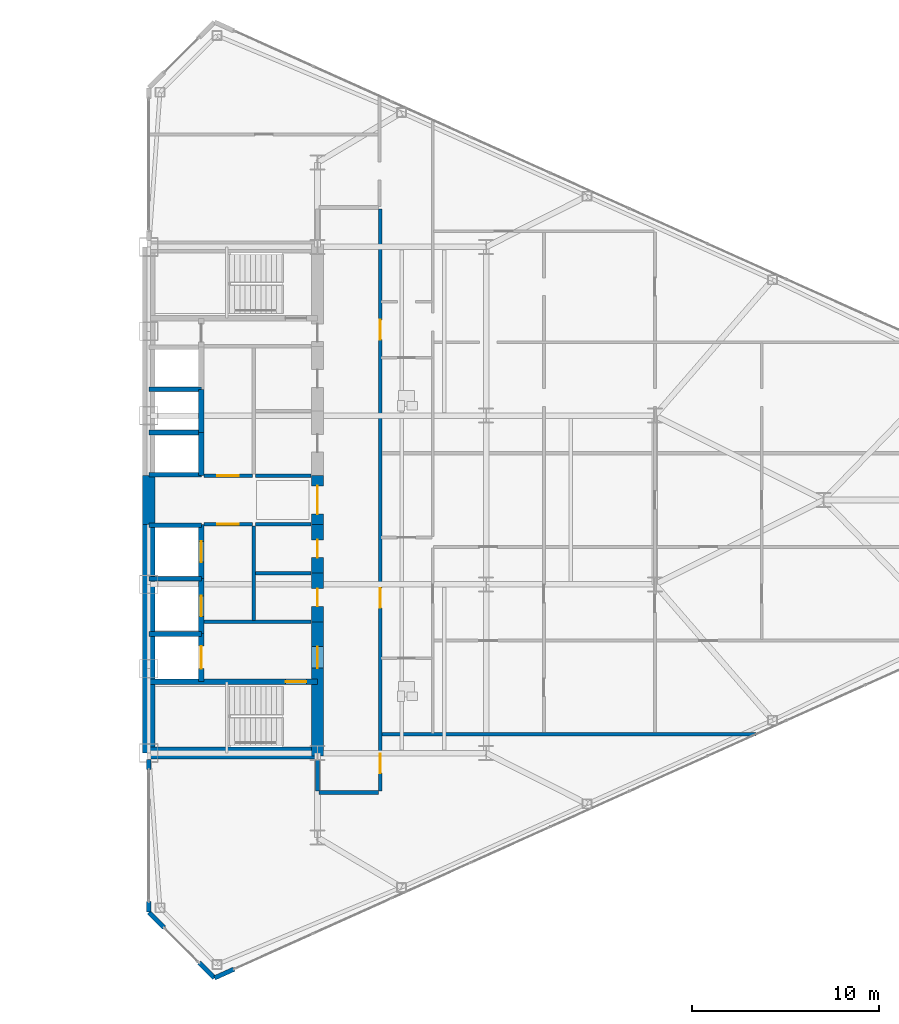
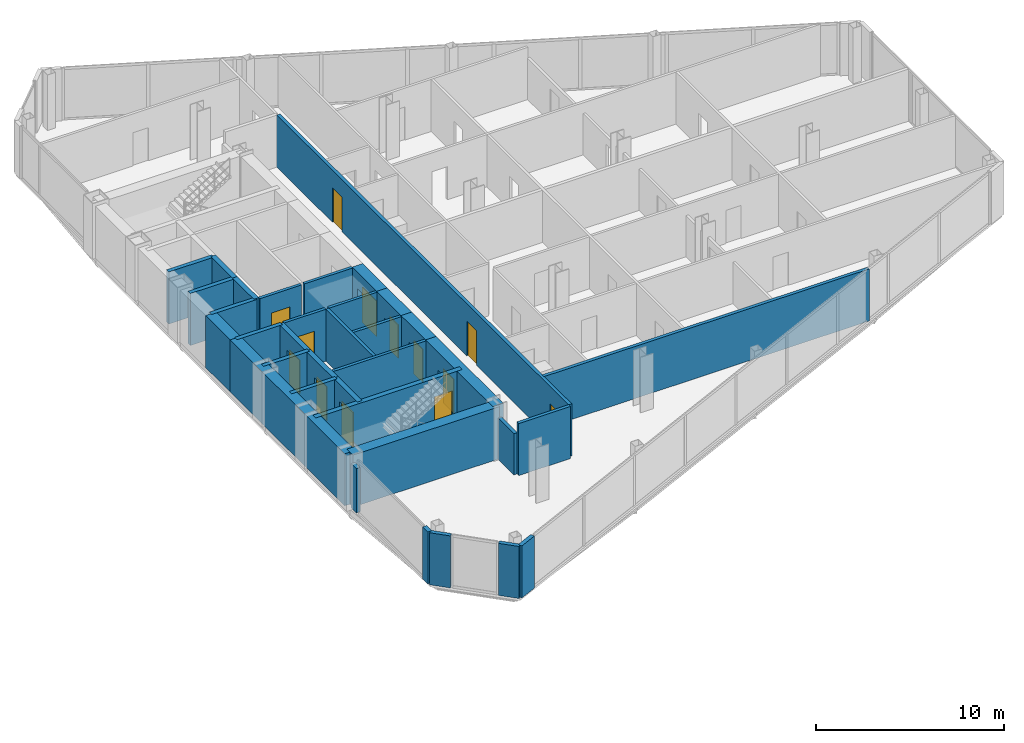
# One storey, part 22 of 27: 35 walls, 13 doors, 13 openings.
"""IFC4 building model written with IfcOpenShell, lengths in metres."""

from ifc_helpers import new_model, si_unit, direction, frame, frame_2d, origin, place, context, subcontext, project, spatial, rectangle, extrude, source, transform, mapped, material, layer, layer_set, type_object, type_shapes, element, fill, save


model = new_model("IFC4")

# Units and contexts
model_context = context("Model", 3, precision=1e-05, world=origin(), true_north=direction((0.0, 1.0)))
body_context = subcontext(model_context, "Body", "Model", "MODEL_VIEW")
ifc_project = project(units=[si_unit("LENGTHUNIT", "METRE"), si_unit("AREAUNIT", "SQUARE_METRE"), si_unit("VOLUMEUNIT", "CUBIC_METRE"), si_unit("PLANEANGLEUNIT", "RADIAN"), si_unit("MASSUNIT", "GRAM", prefix="KILO")], contexts=[model_context])

# Site, building, storey
site_placement = place(None, origin())
site = spatial("IfcSite", under=ifc_project, at=site_placement, CompositionType="ELEMENT")
building_placement = place(site_placement, origin())
building = spatial("IfcBuilding", under=site, at=building_placement, Name="Seokmaru Belvedere", CompositionType="ELEMENT")
storey_placement = place(building_placement, frame((0.0, 0.0, 92.39990234375)))
storey = spatial("IfcBuildingStorey", under=building, at=storey_placement, Name="L24", CompositionType="ELEMENT", Elevation=92.39990234375)

# Walls
ifc_material_1 = material(Name="Fire-Rated Gypsum Shaftwall")
ifc_layer_1 = layer(ifc_material_1, 0.179931640625)
ifc_layer_set_1 = layer_set([ifc_layer_1], Name="Fire-Rated Gypsum Shaftwall")
wall_type_1 = type_object("IfcWallType", Name="Core Service Fire Partition 180", PredefinedType="PARTITIONING", material=ifc_layer_set_1)
wall_1_placement = place(storey_placement, frame((30.449951171875, -6.5, 0.0), z_axis=(0.0, 0.0, 1.0), x_axis=(1.0, 0.0, 0.0)))
element("IfcWall", 1, at=wall_1_placement, inside=storey, type_object=wall_type_1, Name="L24 East Firefighting Lobby Partition", PredefinedType="PARTITIONING", context=body_context, shape_type="SweptSolid", body=[
    extrude(rectangle(XDim=5.699951171875, YDim=0.179931640625, at=frame_2d((2.85009765625, 0.0))), origin(), (0.0, 0.0, 1.0), 3.380126953125),
])
wall_2_placement = place(storey_placement, frame((33.10009765625, -6.419921875, 0.0), z_axis=(0.0, 0.0, 1.0), x_axis=(0.0, 1.0, 0.0)))
element("IfcWall", 2, at=wall_2_placement, inside=storey, type_object=wall_type_1, Name="L24 East South Core Service Back Wall", PredefinedType="PARTITIONING", context=body_context, shape_type="SweptSolid", body=[
    extrude(rectangle(XDim=5.0400390625, YDim=0.179931640625, at=frame_2d((2.52001953125, 0.0))), origin(), (0.0, 0.0, 1.0), 3.380126953125),
])

# Wall, opening, door
wall_3_placement = place(storey_placement, frame((30.449951171875, -1.300048828125, 0.0), z_axis=(0.0, 0.0, 1.0), x_axis=(1.0, 0.0, 0.0)))
wall_3 = element("IfcWall", 3, at=wall_3_placement, inside=storey, type_object=wall_type_1, Name="L24 East South Lift Lobby Foyer Wall", PredefinedType="PARTITIONING", context=body_context, shape_type="SweptSolid", body=[
    extrude(rectangle(XDim=2.570068359375, YDim=0.179931640625, at=frame_2d((1.28515625, 0.0))), origin(), (0.0, 0.0, 1.0), 3.380126953125),
])
opening_1_placement = place(wall_3_placement, frame((0.7099609375, 0.0, 0.0)))
opening_1 = element("IfcOpeningElement", 4, at=opening_1_placement, cuts=wall_3, Name="Opening D02", PredefinedType="OPENING", context=body_context, shape_type="SweptSolid", body=[
    extrude(rectangle(XDim=1.14990234375, YDim=2.199951171875, at=frame_2d((0.574951171875, 1.10009765625))), frame((0.0, 0.10009765625, 0.0), z_axis=(0.0, -1.0, 0.0), x_axis=(1.0, 0.0, 0.0)), (0.0, 0.0, 1.0), 0.199951171875),
])
ifc_material_2 = material(Name="Fire-Rated Steel Leaf", Category="steel")
door_type_1 = type_object("IfcDoorType", Name="Lobby and Vestibule Fire Door 1150x2200", OperationType="NOTDEFINED", PredefinedType="DOOR", material=ifc_material_2)
shared_shape_1 = source(origin(), body_context, "Body", "SweptSolid", [
    extrude(rectangle(XDim=1.14990234375, YDim=2.199951171875, at=frame_2d((0.574951171875, 1.10009765625))), frame((0.0, 0.02490234375, 0.0), z_axis=(0.0, -1.0, 0.0), x_axis=(1.0, 0.0, 0.0)), (0.0, 0.0, 1.0), 0.050048828125),
])
type_shapes(door_type_1, [shared_shape_1])
door_1_placement = place(opening_1_placement, origin())
door_1 = element("IfcDoor", 5, at=door_1_placement, inside=storey, type_object=door_type_1, Name="L24 East South Core Foyer Door", OperationType="SINGLE_SWING_RIGHT", OverallHeight=2.199951171875, OverallWidth=1.14990234375, PredefinedType="DOOR", context=body_context, shape_type="MappedRepresentation", body=[
    mapped(shared_shape_1, transform((0.0, 0.0, 0.0), scale=1.0)),
])
fill(opening_1, door_1)

wall_4_placement = place(storey_placement, frame((30.449951171875, 1.300048828125, 0.0), z_axis=(0.0, 0.0, 1.0), x_axis=(1.0, 0.0, 0.0)))
wall_4 = element("IfcWall", 6, at=wall_4_placement, inside=storey, type_object=wall_type_1, Name="L24 East North Lift Lobby Foyer Wall", PredefinedType="PARTITIONING", context=body_context, shape_type="SweptSolid", body=[
    extrude(rectangle(XDim=2.570068359375, YDim=0.179931640625, at=frame_2d((1.28515625, 0.0))), origin(), (0.0, 0.0, 1.0), 3.380126953125),
])
opening_2_placement = place(wall_4_placement, frame((0.7099609375, 0.0, 0.0)))
opening_2 = element("IfcOpeningElement", 7, at=opening_2_placement, cuts=wall_4, Name="Opening D02", PredefinedType="OPENING", context=body_context, shape_type="SweptSolid", body=[
    extrude(rectangle(XDim=1.14990234375, YDim=2.199951171875, at=frame_2d((0.574951171875, 1.10009765625))), frame((0.0, 0.10009765625, 0.0), z_axis=(0.0, -1.0, 0.0), x_axis=(1.0, 0.0, 0.0)), (0.0, 0.0, 1.0), 0.199951171875),
])
door_2_placement = place(opening_2_placement, origin())
door_2 = element("IfcDoor", 8, at=door_2_placement, inside=storey, type_object=door_type_1, Name="L24 East North Lift Lobby Door", OperationType="SINGLE_SWING_LEFT", OverallHeight=2.199951171875, OverallWidth=1.14990234375, PredefinedType="DOOR", context=body_context, shape_type="MappedRepresentation", body=[
    mapped(shared_shape_1, transform((0.0, 0.0, 0.0), scale=1.0)),
])
fill(opening_2, door_2)

# Walls
for number, where, z_axis, x_axis, name in (
    (9, (33.199951171875, -1.300048828125, 0.0), (0.0, 0.0, 1.0), (1.0, 0.0, 0.0), "L24 East Foyer Side Wall S"),
    (10, (33.199951171875, 1.300048828125, 0.0), (0.0, 0.0, 1.0), (1.0, 0.0, 0.0), "L24 East Foyer Side Wall N"),
    (11, (33.199951171875, -3.89990234375, 0.0), (0.0, 0.0, 1.0), (1.0, 0.0, 0.0), "L24 East Core Service Partition 1"),
):
    element("IfcWall", number, at=place(storey_placement, frame(where, z_axis=z_axis, x_axis=x_axis)), inside=storey, type_object=wall_type_1, Name=name, PredefinedType="PARTITIONING", context=body_context, shape_type="SweptSolid", body=[
        extrude(rectangle(XDim=2.949951171875, YDim=0.179931640625, at=frame_2d((1.47509765625, 0.0))), origin(), (0.0, 0.0, 1.0), 3.380126953125),
    ])
ifc_material_3 = material(Name="Concrete C50 (50 MPa)", Category="concrete")
ifc_layer_2 = layer(ifc_material_3, 0.25)
ifc_layer_set_2 = layer_set([ifc_layer_2], Name="Concrete C50 (50 MPa)")
wall_type_2 = type_object("IfcWallType", Name="Hoistway Transverse Concrete Divider Wall 250", PredefinedType="SHEAR", material=ifc_layer_set_2)
for number, where, z_axis, x_axis, name in (
    (12, (27.5, -7.14990234375, 0.0), (0.0, 0.0, 1.0), (1.0, 0.0, 0.0), "L24 East Hoistway Divider Core Wall 1"),
    (13, (27.5, -4.199951171875, 0.0), (0.0, 0.0, 1.0), (1.0, 0.0, 0.0), "L24 East Hoistway Divider Core Wall 2"),
    (14, (27.5, -1.35009765625, 0.0), (0.0, 0.0, 1.0), (1.0, 0.0, 0.0), "L24 East Hoistway Divider Core Wall 3"),
    (15, (27.5, 1.35009765625, 0.0), (0.0, 0.0, 1.0), (1.0, 0.0, 0.0), "L24 East Hoistway Divider Core Wall 4"),
    (16, (27.5, 3.60009765625, 0.0), (0.0, 0.0, 1.0), (1.0, 0.0, 0.0), "L24 East Hoistway Divider Core Wall 5"),
    (17, (27.5, 5.89990234375, 0.0), (0.0, 0.0, 1.0), (1.0, 0.0, 0.0), "L24 East Hoistway Divider Core Wall 6"),
):
    element("IfcWall", number, at=place(storey_placement, frame(where, z_axis=z_axis, x_axis=x_axis)), inside=storey, type_object=wall_type_2, Name=name, PredefinedType="SHEAR", context=body_context, shape_type="SweptSolid", body=[
        extrude(rectangle(XDim=2.800048828125, YDim=0.25, at=frame_2d((1.39990234375, 0.0))), origin(), (0.0, 0.0, 1.0), 3.380126953125),
    ])
ifc_layer_3 = layer(ifc_material_1, 0.199951171875)
ifc_layer_set_3 = layer_set([ifc_layer_3], Name="Fire-Rated Gypsum Shaftwall")
wall_type_3 = type_object("IfcWallType", Name="Inter-Tenancy Fire Compartment Partition 200", PredefinedType="PARTITIONING", material=ifc_layer_set_3)
wall_5_placement = place(storey_placement, frame((36.5849609375, -15.60009765625, 0.0), z_axis=(0.0, 0.0, 1.0), x_axis=(1.0, 0.0, 0.0)))
element("IfcWall", 18, at=wall_5_placement, inside=storey, type_object=wall_type_3, Name="L24 Interior Partition 002", PredefinedType="PARTITIONING", context=body_context, shape_type="SweptSolid", body=[
    extrude(rectangle(XDim=3.179931640625, YDim=0.199951171875, at=frame_2d((1.58984375, 0.0))), origin(), (0.0, 0.0, 1.0), 3.380126953125),
])
wall_6_placement = place(storey_placement, frame((39.929931640625, -12.5, 0.0), z_axis=(0.0, 0.0, 1.0), x_axis=(1.0, 0.0, 0.0)))
element("IfcWall", 19, at=wall_6_placement, inside=storey, type_object=wall_type_3, Name="L24 Interior Partition 004", PredefinedType="PARTITIONING", context=body_context, shape_type="SweptSolid", body=[
    extrude(rectangle(XDim=19.970947265625, YDim=0.199951171875, at=frame_2d((9.9853515625, 0.0))), origin(), (0.0, 0.0, 1.0), 3.380126953125),
])
wall_7_placement = place(storey_placement, frame((36.5, -15.514892578125, 0.0), z_axis=(0.0, 0.0, 1.0), x_axis=(0.0, 1.0, 0.0)))
element("IfcWall", 20, at=wall_7_placement, inside=storey, type_object=wall_type_3, Name="L24 Interior Partition 043", PredefinedType="PARTITIONING", context=body_context, shape_type="SweptSolid", body=[
    extrude(rectangle(XDim=1.684814453125, YDim=0.199951171875, at=frame_2d((0.84228515625, 0.0))), origin(), (0.0, 0.0, 1.0), 2.68017578125),
])

# Wall, openings, doors
wall_8_placement = place(storey_placement, frame((39.85009765625, -15.514892578125, 0.0), z_axis=(0.0, 0.0, 1.0), x_axis=(0.0, 1.0, 0.0)))
wall_8 = element("IfcWall", 21, at=wall_8_placement, inside=storey, type_object=wall_type_3, Name="L24 Interior Partition 046", PredefinedType="PARTITIONING", context=body_context, shape_type="SweptSolid", body=[
    extrude(rectangle(XDim=31.02978515625, YDim=0.199951171875, at=frame_2d((15.514892578125, 0.0))), origin(), (0.0, 0.0, 1.0), 3.380126953125),
])
opening_3_placement = place(wall_8_placement, frame((0.93994140625, 0.0, 0.0)))
opening_3 = element("IfcOpeningElement", 22, at=opening_3_placement, cuts=wall_8, Name="Opening D03", PredefinedType="OPENING", context=body_context, shape_type="SweptSolid", body=[
    extrude(rectangle(XDim=1.050048828125, YDim=2.25, at=frame_2d((0.52490234375, 1.125))), frame((0.0, 0.10986328125, 0.0), z_axis=(0.0, -1.0, 0.0), x_axis=(1.0, 0.0, 0.0)), (0.0, 0.0, 1.0), 0.219970703125),
])
opening_4_placement = place(wall_8_placement, frame((9.764892578125, 0.0, 0.0)))
opening_4 = element("IfcOpeningElement", 23, at=opening_4_placement, cuts=wall_8, Name="Opening D03", PredefinedType="OPENING", context=body_context, shape_type="SweptSolid", body=[
    extrude(rectangle(XDim=1.050048828125, YDim=2.25, at=frame_2d((0.52490234375, 1.125))), frame((0.0, 0.10986328125, 0.0), z_axis=(0.0, -1.0, 0.0), x_axis=(1.0, 0.0, 0.0)), (0.0, 0.0, 1.0), 0.219970703125),
])
opening_5_placement = place(wall_8_placement, frame((24.0673828125, 0.0, 0.0)))
opening_5 = element("IfcOpeningElement", 24, at=opening_5_placement, cuts=wall_8, Name="Opening D03", PredefinedType="OPENING", context=body_context, shape_type="SweptSolid", body=[
    extrude(rectangle(XDim=1.050048828125, YDim=2.25, at=frame_2d((0.52490234375, 1.125))), frame((0.0, 0.10986328125, 0.0), z_axis=(0.0, -1.0, 0.0), x_axis=(1.0, 0.0, 0.0)), (0.0, 0.0, 1.0), 0.219970703125),
])
door_type_2 = type_object("IfcDoorType", Name="Apartment Entrance Fire Door 1050x2250", OperationType="NOTDEFINED", PredefinedType="DOOR", material=ifc_material_2)
shared_shape_2 = source(origin(), body_context, "Body", "SweptSolid", [
    extrude(rectangle(XDim=1.050048828125, YDim=2.25, at=frame_2d((0.52490234375, 1.125))), frame((0.0, 0.02490234375, 0.0), z_axis=(0.0, -1.0, 0.0), x_axis=(1.0, 0.0, 0.0)), (0.0, 0.0, 1.0), 0.050048828125),
])
type_shapes(door_type_2, [shared_shape_2])
door_3_placement = place(opening_3_placement, origin())
door_3 = element("IfcDoor", 25, at=door_3_placement, inside=storey, type_object=door_type_2, Name="L24 Interior Door 034", OperationType="SINGLE_SWING_LEFT", OverallHeight=2.25, OverallWidth=1.050048828125, PredefinedType="DOOR", context=body_context, shape_type="MappedRepresentation", body=[
    mapped(shared_shape_2, transform((0.0, 0.0, 0.0), scale=1.0)),
])
fill(opening_3, door_3)
door_4_placement = place(opening_4_placement, origin())
door_4 = element("IfcDoor", 26, at=door_4_placement, inside=storey, type_object=door_type_2, Name="L24 Interior Door 035", OperationType="SINGLE_SWING_RIGHT", OverallHeight=2.25, OverallWidth=1.050048828125, PredefinedType="DOOR", context=body_context, shape_type="MappedRepresentation", body=[
    mapped(shared_shape_2, transform((0.0, 0.0, 0.0), scale=1.0)),
])
fill(opening_4, door_4)
door_5_placement = place(opening_5_placement, origin())
door_5 = element("IfcDoor", 27, at=door_5_placement, inside=storey, type_object=door_type_2, Name="L24 Interior Door 049", OperationType="SINGLE_SWING_LEFT", OverallHeight=2.25, OverallWidth=1.050048828125, PredefinedType="DOOR", context=body_context, shape_type="MappedRepresentation", body=[
    mapped(shared_shape_2, transform((0.0, 0.0, 0.0), scale=1.0)),
])
fill(opening_5, door_5)

# Wall, opening, door
ifc_layer_4 = layer(ifc_material_3, 0.300048828125)
ifc_layer_set_4 = layer_set([ifc_layer_4], Name="Concrete C50 (50 MPa)")
wall_type_4 = type_object("IfcWallType", Name="Internal Core Stair and Hoistway Wall 300", PredefinedType="SHEAR", material=ifc_layer_set_4)
wall_9_placement = place(storey_placement, frame((27.5, -9.699951171875, 0.0), z_axis=(0.0, 0.0, 1.0), x_axis=(1.0, 0.0, 0.0)))
wall_9 = element("IfcWall", 28, at=wall_9_placement, inside=storey, type_object=wall_type_4, Name="L24 East Stair ST-1 Enclosure Wall", PredefinedType="SHEAR", context=body_context, shape_type="SweptSolid", body=[
    extrude(rectangle(XDim=9.0, YDim=0.300048828125, at=frame_2d((4.5, 0.0))), origin(), (0.0, 0.0, 1.0), 3.380126953125),
])
opening_6_placement = place(wall_9_placement, frame((7.300048828125, 0.0, 0.0)))
opening_6 = element("IfcOpeningElement", 29, at=opening_6_placement, cuts=wall_9, Name="Opening D01", PredefinedType="OPENING", context=body_context, shape_type="SweptSolid", body=[
    extrude(rectangle(XDim=1.10009765625, YDim=2.199951171875, at=frame_2d((0.550048828125, 1.10009765625))), frame((0.0, 0.16015625, 0.0), z_axis=(0.0, -1.0, 0.0), x_axis=(1.0, 0.0, 0.0)), (0.0, 0.0, 1.0), 0.320068359375),
])
door_type_3 = type_object("IfcDoorType", Name="Special Escape Stair Smokeproof Fire Door 1100x2200", OperationType="NOTDEFINED", PredefinedType="DOOR", material=ifc_material_2)
shared_shape_3 = source(origin(), body_context, "Body", "SweptSolid", [
    extrude(rectangle(XDim=1.10009765625, YDim=2.199951171875, at=frame_2d((0.550048828125, 1.10009765625))), frame((0.0, 0.02490234375, 0.0), z_axis=(0.0, -1.0, 0.0), x_axis=(1.0, 0.0, 0.0)), (0.0, 0.0, 1.0), 0.050048828125),
])
type_shapes(door_type_3, [shared_shape_3])
door_6_placement = place(opening_6_placement, frame((1.10009765625, 0.0, 0.0), z_axis=(0.0, 0.0, 1.0), x_axis=(-1.0, 0.0, 0.0)))
door_6 = element("IfcDoor", 30, at=door_6_placement, inside=storey, type_object=door_type_3, Name="L24 East Special Escape Stair ST-1 Door", OperationType="SINGLE_SWING_RIGHT", OverallHeight=2.199951171875, OverallWidth=1.10009765625, PredefinedType="DOOR", context=body_context, shape_type="MappedRepresentation", body=[
    mapped(shared_shape_3, transform((0.0, 0.0, 0.0), scale=1.0)),
])
fill(opening_6, door_6)

wall_10_placement = place(storey_placement, frame((30.300048828125, -9.679931640625, 0.0), z_axis=(0.0, 0.0, 1.0), x_axis=(0.0, 1.0, 0.0)))
wall_10 = element("IfcWall", 31, at=wall_10_placement, inside=storey, type_object=wall_type_4, Name="L24 East Firefighting Lift Shaft Front Wall", PredefinedType="SHEAR", context=body_context, shape_type="SweptSolid", body=[
    extrude(rectangle(XDim=2.559814453125, YDim=0.300048828125, at=frame_2d((1.27978515625, 0.0))), origin(), (0.0, 0.0, 1.0), 3.380126953125),
])
opening_7_placement = place(wall_10_placement, frame((0.679931640625, 0.0, 0.0)))
opening_7 = element("IfcOpeningElement", 32, at=opening_7_placement, cuts=wall_10, Name="Opening LD2", PredefinedType="OPENING", context=body_context, shape_type="SweptSolid", body=[
    extrude(rectangle(XDim=1.199951171875, YDim=2.25, at=frame_2d((0.60009765625, 1.125))), frame((0.0, 0.16015625, 0.0), z_axis=(0.0, -1.0, 0.0), x_axis=(1.0, 0.0, 0.0)), (0.0, 0.0, 1.0), 0.320068359375),
])
ifc_material_4 = material(Name="Stainless Steel 316", Category="steel")
door_type_4 = type_object("IfcDoorType", Name="Firefighting Lift Sliding Landing Door 1200x2250", OperationType="DOUBLE_DOOR_SLIDING", PredefinedType="DOOR", material=ifc_material_4)
shared_shape_4 = source(origin(), body_context, "Body", "SweptSolid", [
    extrude(rectangle(XDim=1.199951171875, YDim=2.25, at=frame_2d((0.60009765625, 1.125))), frame((0.0, 0.02490234375, 0.0), z_axis=(0.0, -1.0, 0.0), x_axis=(1.0, 0.0, 0.0)), (0.0, 0.0, 1.0), 0.050048828125),
])
type_shapes(door_type_4, [shared_shape_4])
door_7_placement = place(opening_7_placement, origin())
door_7 = element("IfcDoor", 33, at=door_7_placement, inside=storey, type_object=door_type_4, Name="L24 East Firefighting Lift Landing Door", OperationType="DOUBLE_DOOR_SLIDING", OverallHeight=2.25, OverallWidth=1.199951171875, PredefinedType="DOOR", context=body_context, shape_type="MappedRepresentation", body=[
    mapped(shared_shape_4, transform((0.0, 0.0, 0.0), scale=1.0)),
])
fill(opening_7, door_7)

wall_11_placement = place(storey_placement, frame((30.300048828125, -7.1201171875, 0.0), z_axis=(0.0, 0.0, 1.0), x_axis=(0.0, 1.0, 0.0)))
wall_11 = element("IfcWall", 34, at=wall_11_placement, inside=storey, type_object=wall_type_4, Name="L24 East Low-Rise Lift PL-1 Front Wall", PredefinedType="SHEAR", context=body_context, shape_type="SweptSolid", body=[
    extrude(rectangle(XDim=2.920166015625, YDim=0.300048828125, at=frame_2d((1.4599609375, 0.0))), origin(), (0.0, 0.0, 1.0), 3.380126953125),
])
opening_8_placement = place(wall_11_placement, frame((0.909912109375, 0.0, 0.0)))
opening_8 = element("IfcOpeningElement", 35, at=opening_8_placement, cuts=wall_11, Name="Opening LD1", PredefinedType="OPENING", context=body_context, shape_type="SweptSolid", body=[
    extrude(rectangle(XDim=1.10009765625, YDim=2.199951171875, at=frame_2d((0.550048828125, 1.10009765625))), frame((0.0, 0.16015625, 0.0), z_axis=(0.0, -1.0, 0.0), x_axis=(1.0, 0.0, 0.0)), (0.0, 0.0, 1.0), 0.320068359375),
])
door_type_5 = type_object("IfcDoorType", Name="Passenger Lift Sliding Landing Door 1100x2200", OperationType="DOUBLE_DOOR_SLIDING", PredefinedType="DOOR", material=ifc_material_4)
shared_shape_5 = source(origin(), body_context, "Body", "SweptSolid", [
    extrude(rectangle(XDim=1.10009765625, YDim=2.199951171875, at=frame_2d((0.550048828125, 1.10009765625))), frame((0.0, 0.02490234375, 0.0), z_axis=(0.0, -1.0, 0.0), x_axis=(1.0, 0.0, 0.0)), (0.0, 0.0, 1.0), 0.050048828125),
])
type_shapes(door_type_5, [shared_shape_5])
door_8_placement = place(opening_8_placement, origin())
door_8 = element("IfcDoor", 36, at=door_8_placement, inside=storey, type_object=door_type_5, Name="L24 East Low-Rise Lift PL-1 Landing Door", OperationType="DOUBLE_DOOR_SLIDING", OverallHeight=2.199951171875, OverallWidth=1.10009765625, PredefinedType="DOOR", context=body_context, shape_type="MappedRepresentation", body=[
    mapped(shared_shape_5, transform((0.0, 0.0, 0.0), scale=1.0)),
])
fill(opening_8, door_8)

wall_12_placement = place(storey_placement, frame((30.300048828125, -4.199951171875, 0.0), z_axis=(0.0, 0.0, 1.0), x_axis=(0.0, 1.0, 0.0)))
wall_12 = element("IfcWall", 37, at=wall_12_placement, inside=storey, type_object=wall_type_4, Name="L24 East Low-Rise Lift PL-2 Front Wall", PredefinedType="SHEAR", context=body_context, shape_type="SweptSolid", body=[
    extrude(rectangle(XDim=2.8798828125, YDim=0.300048828125, at=frame_2d((1.43994140625, 0.0))), origin(), (0.0, 0.0, 1.0), 3.380126953125),
])
opening_9_placement = place(wall_12_placement, frame((0.889892578125, 0.0, 0.0)))
opening_9 = element("IfcOpeningElement", 38, at=opening_9_placement, cuts=wall_12, Name="Opening LD1", PredefinedType="OPENING", context=body_context, shape_type="SweptSolid", body=[
    extrude(rectangle(XDim=1.10009765625, YDim=2.199951171875, at=frame_2d((0.550048828125, 1.10009765625))), frame((0.0, 0.16015625, 0.0), z_axis=(0.0, -1.0, 0.0), x_axis=(1.0, 0.0, 0.0)), (0.0, 0.0, 1.0), 0.320068359375),
])
door_9_placement = place(opening_9_placement, origin())
door_9 = element("IfcDoor", 39, at=door_9_placement, inside=storey, type_object=door_type_5, Name="L24 East Low-Rise Lift PL-2 Landing Door", OperationType="DOUBLE_DOOR_SLIDING", OverallHeight=2.199951171875, OverallWidth=1.10009765625, PredefinedType="DOOR", context=body_context, shape_type="MappedRepresentation", body=[
    mapped(shared_shape_5, transform((0.0, 0.0, 0.0), scale=1.0)),
])
fill(opening_9, door_9)

# Walls
wall_13_placement = place(storey_placement, frame((30.300048828125, 1.320068359375, 0.0), z_axis=(0.0, 0.0, 1.0), x_axis=(0.0, 1.0, 0.0)))
element("IfcWall", 40, at=wall_13_placement, inside=storey, type_object=wall_type_4, Name="L24 East North Hoistway Wall PH1", PredefinedType="SHEAR", context=body_context, shape_type="SweptSolid", body=[
    extrude(rectangle(XDim=2.280029296875, YDim=0.300048828125, at=frame_2d((1.14013671875, 0.0))), origin(), (0.0, 0.0, 1.0), 3.380126953125),
])
wall_14_placement = place(storey_placement, frame((30.300048828125, 3.60009765625, 0.0), z_axis=(0.0, 0.0, 1.0), x_axis=(0.0, 1.0, 0.0)))
element("IfcWall", 41, at=wall_14_placement, inside=storey, type_object=wall_type_4, Name="L24 East North Hoistway Wall PH2", PredefinedType="SHEAR", context=body_context, shape_type="SweptSolid", body=[
    extrude(rectangle(XDim=2.2998046875, YDim=0.300048828125, at=frame_2d((1.14990234375, 0.0))), origin(), (0.0, 0.0, 1.0), 3.380126953125),
])
ifc_material_5 = material(Name="Concrete C60 (60 MPa)", Category="concrete")
ifc_layer_5 = layer(ifc_material_5, 0.64990234375)
ifc_layer_set_5 = layer_set([ifc_layer_5], Name="Concrete C60 (60 MPa)")
wall_type_5 = type_object("IfcWallType", Name="Mid-Low Reinforced Concrete Core Wall 650", PredefinedType="SHEAR", material=ifc_layer_set_5)
wall_15_placement = place(storey_placement, frame((27.5, -13.5, 0.0), z_axis=(0.0, 0.0, 1.0), x_axis=(0.0, 1.0, 0.0)))
element("IfcWall", 42, at=wall_15_placement, inside=storey, type_object=wall_type_5, Name="L24 East Portal Spine Core Wall South", PredefinedType="SHEAR", context=body_context, shape_type="SweptSolid", body=[
    extrude(rectangle(XDim=12.199951171875, YDim=0.64990234375, at=frame_2d((6.10009765625, 0.0))), origin(), (0.0, 0.0, 1.0), 3.380126953125),
])
wall_16_placement = place(storey_placement, frame((27.5, -1.300048828125, 0.0), z_axis=(0.0, 0.0, 1.0), x_axis=(0.0, 1.0, 0.0)))
element("IfcWall", 43, at=wall_16_placement, inside=storey, type_object=wall_type_5, Name="L24 East Portal Spine Core Wall Center", PredefinedType="SHEAR", context=body_context, shape_type="SweptSolid", body=[
    extrude(rectangle(XDim=2.60009765625, YDim=0.64990234375, at=frame_2d((1.300048828125, 0.0))), origin(), (0.0, 0.0, 1.0), 3.380126953125),
])
wall_17_placement = place(storey_placement, frame((27.5, -13.5, 0.0), z_axis=(0.0, 0.0, 1.0), x_axis=(1.0, 0.0, 0.0)))
element("IfcWall", 44, at=wall_17_placement, inside=storey, type_object=wall_type_5, Name="L24 East South Core Wall", PredefinedType="SHEAR", context=body_context, shape_type="SweptSolid", body=[
    extrude(rectangle(XDim=9.0, YDim=0.64990234375, at=frame_2d((4.5, 0.0))), origin(), (0.0, 0.0, 1.0), 3.380126953125),
])

# Wall, opening, door
wall_18_placement = place(storey_placement, frame((36.5, -13.64990234375, 0.0), z_axis=(0.0, 0.0, 1.0), x_axis=(0.0, 1.0, 0.0)))
wall_18 = element("IfcWall", 45, at=wall_18_placement, inside=storey, type_object=wall_type_5, Name="L24 East West Core Wall FF", PredefinedType="SHEAR", context=body_context, shape_type="SweptSolid", body=[
    extrude(rectangle(XDim=7.14990234375, YDim=0.64990234375, at=frame_2d((3.574951171875, 0.0))), origin(), (0.0, 0.0, 1.0), 3.380126953125),
])
opening_10_placement = place(wall_18_placement, frame((4.675048828125, 0.0, 0.0)))
opening_10 = element("IfcOpeningElement", 46, at=opening_10_placement, cuts=wall_18, Name="Opening D02", PredefinedType="OPENING", context=body_context, shape_type="SweptSolid", body=[
    extrude(rectangle(XDim=1.14990234375, YDim=2.199951171875, at=frame_2d((0.574951171875, 1.10009765625))), frame((0.0, 0.3349609375, 0.0), z_axis=(0.0, -1.0, 0.0), x_axis=(1.0, 0.0, 0.0)), (0.0, 0.0, 1.0), 0.669921875),
])
door_10_placement = place(opening_10_placement, origin())
door_10 = element("IfcDoor", 47, at=door_10_placement, inside=storey, type_object=door_type_1, Name="L24 East Firefighting Lobby Door", OperationType="SINGLE_SWING_RIGHT", OverallHeight=2.199951171875, OverallWidth=1.14990234375, PredefinedType="DOOR", context=body_context, shape_type="MappedRepresentation", body=[
    mapped(shared_shape_1, transform((0.0, 0.0, 0.0), scale=1.0)),
])
fill(opening_10, door_10)

wall_19_placement = place(storey_placement, frame((36.5, -1.300048828125, 0.0), z_axis=(0.0, 0.0, 1.0), x_axis=(0.0, 1.0, 0.0)))
wall_19 = element("IfcWall", 48, at=wall_19_placement, inside=storey, type_object=wall_type_5, Name="L24 East West Core Wall FOY", PredefinedType="SHEAR", context=body_context, shape_type="SweptSolid", body=[
    extrude(rectangle(XDim=2.60009765625, YDim=0.64990234375, at=frame_2d((1.300048828125, 0.0))), origin(), (0.0, 0.0, 1.0), 3.380126953125),
])
opening_11_placement = place(wall_19_placement, frame((0.550048828125, 0.0, 0.0)))
opening_11 = element("IfcOpeningElement", 49, at=opening_11_placement, cuts=wall_19, Name="Opening D08", PredefinedType="OPENING", context=body_context, shape_type="SweptSolid", body=[
    extrude(rectangle(XDim=1.5, YDim=2.300048828125, at=frame_2d((0.75, 1.14990234375))), frame((0.0, 0.3349609375, 0.0), z_axis=(0.0, -1.0, 0.0), x_axis=(1.0, 0.0, 0.0)), (0.0, 0.0, 1.0), 0.669921875),
])
door_type_6 = type_object("IfcDoorType", Name="Cross-Corridor Compartment Double Fire Door 1500x2300", OperationType="DOUBLE_SWING_LEFT", PredefinedType="DOOR", material=ifc_material_2)
shared_shape_6 = source(origin(), body_context, "Body", "SweptSolid", [
    extrude(rectangle(XDim=1.5, YDim=2.300048828125, at=frame_2d((0.75, 1.14990234375))), frame((0.0, 0.02490234375, 0.0), z_axis=(0.0, -1.0, 0.0), x_axis=(1.0, 0.0, 0.0)), (0.0, 0.0, 1.0), 0.050048828125),
])
type_shapes(door_type_6, [shared_shape_6])
door_11_placement = place(opening_11_placement, origin())
door_11 = element("IfcDoor", 50, at=door_11_placement, inside=storey, type_object=door_type_6, Name="L24 East Core Foyer Compartment Door", OperationType="DOUBLE_SWING_LEFT", OverallHeight=2.300048828125, OverallWidth=1.5, PredefinedType="DOOR", context=body_context, shape_type="MappedRepresentation", body=[
    mapped(shared_shape_6, transform((0.0, 0.0, 0.0), scale=1.0)),
])
fill(opening_11, door_11)

wall_20_placement = place(storey_placement, frame((36.5, -6.5, 0.0), z_axis=(0.0, 0.0, 1.0), x_axis=(0.0, 1.0, 0.0)))
wall_20 = element("IfcWall", 51, at=wall_20_placement, inside=storey, type_object=wall_type_5, Name="L24 East West Core Wall CS1", PredefinedType="SHEAR", context=body_context, shape_type="SweptSolid", body=[
    extrude(rectangle(XDim=2.60009765625, YDim=0.64990234375, at=frame_2d((1.300048828125, 0.0))), origin(), (0.0, 0.0, 1.0), 3.380126953125),
])
opening_12_placement = place(wall_20_placement, frame((0.824951171875, 0.0, 0.0)))
opening_12 = element("IfcOpeningElement", 52, at=opening_12_placement, cuts=wall_20, Name="Opening D04", PredefinedType="OPENING", context=body_context, shape_type="SweptSolid", body=[
    extrude(rectangle(XDim=0.949951171875, YDim=2.14990234375, at=frame_2d((0.47509765625, 1.074951171875))), frame((0.0, 0.3349609375, 0.0), z_axis=(0.0, -1.0, 0.0), x_axis=(1.0, 0.0, 0.0)), (0.0, 0.0, 1.0), 0.669921875),
])
door_type_7 = type_object("IfcDoorType", Name="Core Service Room Fire Door 950x2150", OperationType="NOTDEFINED", PredefinedType="DOOR", material=ifc_material_2)
shared_shape_7 = source(origin(), body_context, "Body", "SweptSolid", [
    extrude(rectangle(XDim=0.949951171875, YDim=2.14990234375, at=frame_2d((0.47509765625, 1.074951171875))), frame((0.0, 0.02490234375, 0.0), z_axis=(0.0, -1.0, 0.0), x_axis=(1.0, 0.0, 0.0)), (0.0, 0.0, 1.0), 0.050048828125),
])
type_shapes(door_type_7, [shared_shape_7])
door_12_placement = place(opening_12_placement, origin())
door_12 = element("IfcDoor", 53, at=door_12_placement, inside=storey, type_object=door_type_7, Name="L24 East Core Service Room Door 1", OperationType="SINGLE_SWING_RIGHT", OverallHeight=2.14990234375, OverallWidth=0.949951171875, PredefinedType="DOOR", context=body_context, shape_type="MappedRepresentation", body=[
    mapped(shared_shape_7, transform((0.0, 0.0, 0.0), scale=1.0)),
])
fill(opening_12, door_12)

wall_21_placement = place(storey_placement, frame((36.5, -3.89990234375, 0.0), z_axis=(0.0, 0.0, 1.0), x_axis=(0.0, 1.0, 0.0)))
wall_21 = element("IfcWall", 54, at=wall_21_placement, inside=storey, type_object=wall_type_5, Name="L24 East West Core Wall CS2", PredefinedType="SHEAR", context=body_context, shape_type="SweptSolid", body=[
    extrude(rectangle(XDim=2.599853515625, YDim=0.64990234375, at=frame_2d((1.2998046875, 0.0))), origin(), (0.0, 0.0, 1.0), 3.380126953125),
])
opening_13_placement = place(wall_21_placement, frame((0.824951171875, 0.0, 0.0)))
opening_13 = element("IfcOpeningElement", 55, at=opening_13_placement, cuts=wall_21, Name="Opening D04", PredefinedType="OPENING", context=body_context, shape_type="SweptSolid", body=[
    extrude(rectangle(XDim=0.949951171875, YDim=2.14990234375, at=frame_2d((0.47509765625, 1.074951171875))), frame((0.0, 0.3349609375, 0.0), z_axis=(0.0, -1.0, 0.0), x_axis=(1.0, 0.0, 0.0)), (0.0, 0.0, 1.0), 0.669921875),
])
door_13_placement = place(opening_13_placement, origin())
door_13 = element("IfcDoor", 56, at=door_13_placement, inside=storey, type_object=door_type_7, Name="L24 East Core Service Room Door 2", OperationType="SINGLE_SWING_LEFT", OverallHeight=2.14990234375, OverallWidth=0.949951171875, PredefinedType="DOOR", context=body_context, shape_type="MappedRepresentation", body=[
    mapped(shared_shape_7, transform((0.0, 0.0, 0.0), scale=1.0)),
])
fill(opening_13, door_13)

# Walls
ifc_material_6 = material(Name="Anodised Bronze Aluminium", Category="aluminium")
ifc_layer_6 = layer(ifc_material_6, 0.239990234375)
ifc_layer_set_6 = layer_set([ifc_layer_6], Name="Anodised Bronze Aluminium")
wall_type_6 = type_object("IfcWallType", Name="Tower Corner Spandrel Closure Wall 240", PredefinedType="SOLIDWALL", material=ifc_layer_set_6)
wall_22_placement = place(storey_placement, frame((31.009033203125, -25.495849609375, 0.0), z_axis=(0.0, 0.0, 1.0), x_axis=(0.911929519623, 0.410346866979, 0.0)))
element("IfcWall", 57, at=wall_22_placement, inside=storey, type_object=wall_type_6, Name="L24 E Corner Closure Pier 1A", PredefinedType="SOLIDWALL", context=body_context, shape_type="SweptSolid", body=[
    extrude(rectangle(XDim=1.139892578125, YDim=0.239990234375, at=frame_2d((0.56982421875, 0.0))), origin(), (0.0, 0.0, 1.0), 3.380126953125),
])
wall_23_placement = place(storey_placement, frame((27.5, -21.97998046875, 0.0), z_axis=(0.0, 0.0, 1.0), x_axis=(0.0, 1.0, 0.0)))
element("IfcWall", 58, at=wall_23_placement, inside=storey, type_object=wall_type_6, Name="L24 E Spine Closure Pier 1A", PredefinedType="SOLIDWALL", context=body_context, shape_type="SweptSolid", body=[
    extrude(rectangle(XDim=0.550048828125, YDim=0.239990234375, at=frame_2d((0.27490234375, 0.0))), origin(), (0.0, 0.0, 1.0), 3.380126953125),
])
wall_24_placement = place(storey_placement, frame((27.5, -14.3798828125, 0.0), z_axis=(0.0, 0.0, 1.0), x_axis=(0.0, 1.0, 0.0)))
element("IfcWall", 59, at=wall_24_placement, inside=storey, type_object=wall_type_6, Name="L24 E Spine Closure Pier 1B", PredefinedType="SOLIDWALL", context=body_context, shape_type="SweptSolid", body=[
    extrude(rectangle(XDim=0.5498046875, YDim=0.239990234375, at=frame_2d((0.27490234375, 0.0))), origin(), (0.0, 0.0, 1.0), 2.880126953125),
])
for number, where, z_axis, x_axis, name in (
    (60, (27.507080078125, -22.007080078125, 0.0), (0.0, 0.0, 1.0), (0.707106781187, -0.707106781187, 0.0), "L24 E Corner Closure Pier 6A"),
    (61, (30.186767578125, -24.686767578125, 0.0), (0.0, 0.0, 1.0), (0.707106781187, -0.707106781187, 0.0), "L24 E Corner Closure Pier 6B"),
):
    element("IfcWall", number, at=place(storey_placement, frame(where, z_axis=z_axis, x_axis=x_axis)), inside=storey, type_object=wall_type_6, Name=name, PredefinedType="SOLIDWALL", context=body_context, shape_type="SweptSolid", body=[
        extrude(rectangle(XDim=1.14013671875, YDim=0.239990234375, at=frame_2d((0.570068359375, 0.0))), origin(), (0.0, 0.0, 1.0), 3.380126953125),
    ])

save(model, "model.ifc")
